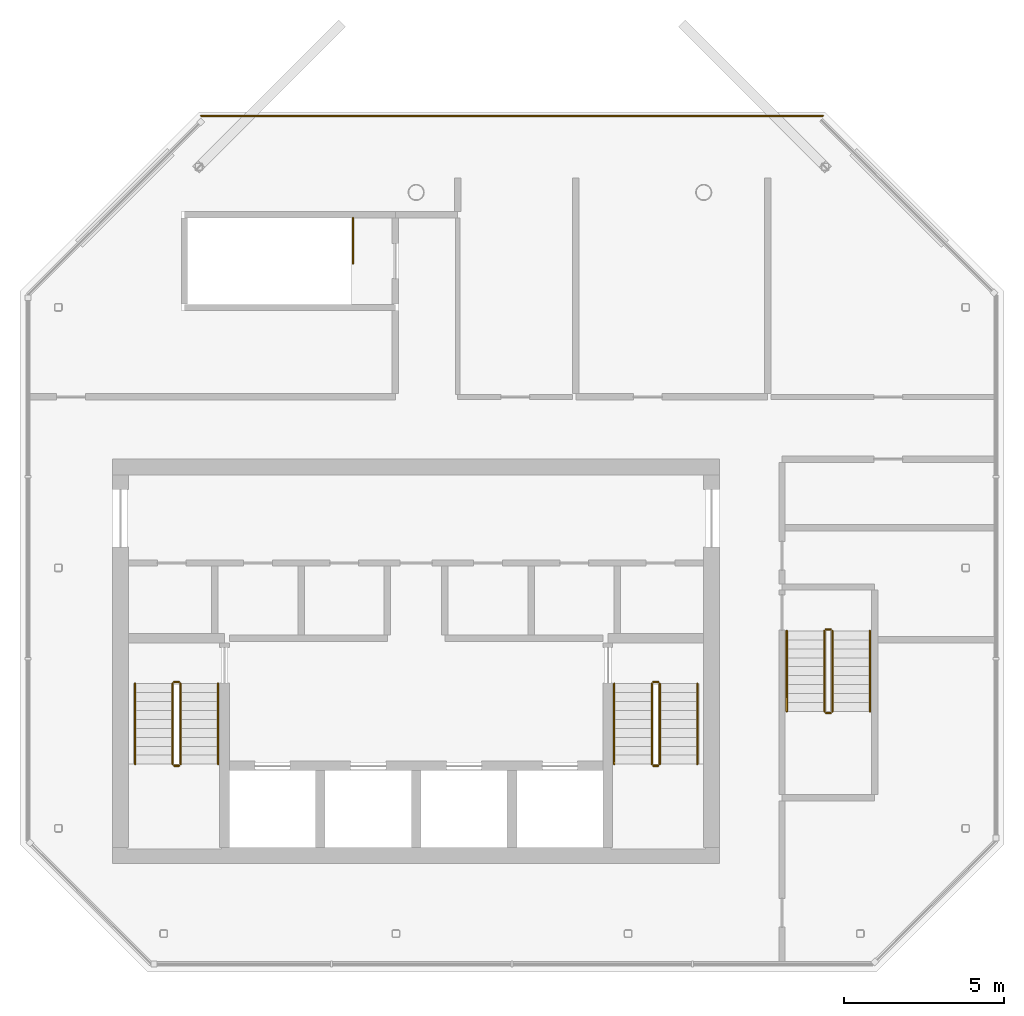
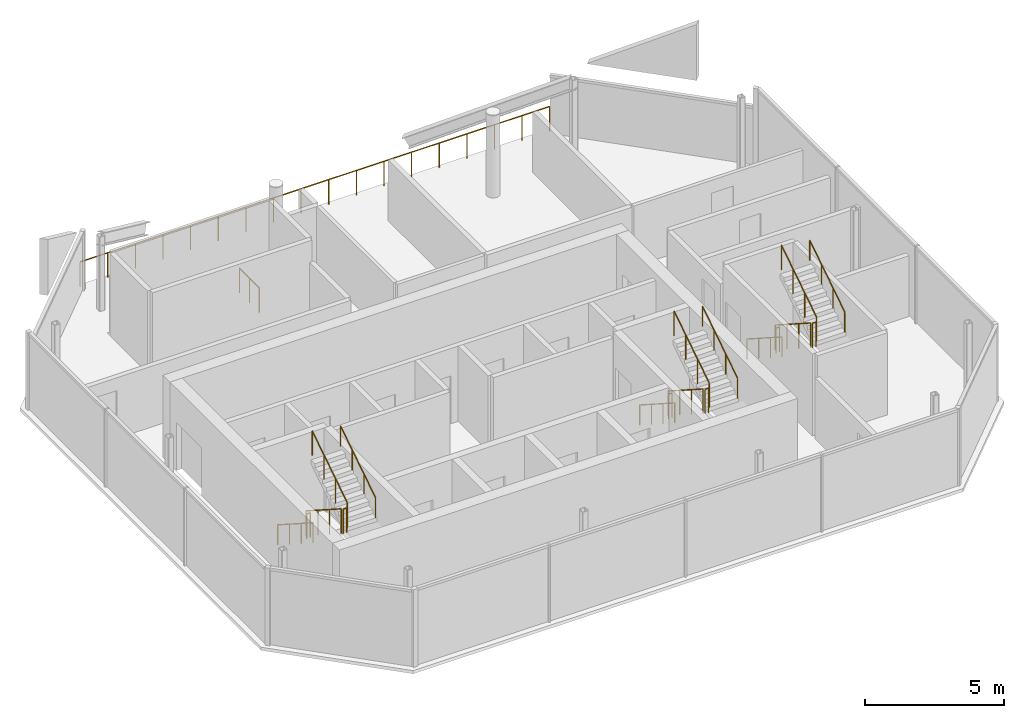
# One storey, part 5 of 5: 20 railings.
"""IFC4 building model written with IfcOpenShell, lengths in metres."""

from ifc_helpers import new_model, si_unit, direction, frame, origin, origin_2d, place, context, subcontext, project, spatial, circle, extrude, material, type_object, element, save


model = new_model("IFC4")

# Units and contexts
model_context = context("Model", 3, precision=1e-05, world=origin(), true_north=direction((0.0, 1.0)))
body_context = subcontext(model_context, "Body", "Model", "MODEL_VIEW")
ifc_project = project(units=[si_unit("LENGTHUNIT", "METRE"), si_unit("AREAUNIT", "SQUARE_METRE"), si_unit("VOLUMEUNIT", "CUBIC_METRE"), si_unit("PLANEANGLEUNIT", "RADIAN"), si_unit("MASSUNIT", "GRAM", prefix="KILO")], contexts=[model_context])

# Site, building, storey
site_placement = place(None, origin())
site = spatial("IfcSite", under=ifc_project, at=site_placement, CompositionType="ELEMENT")
building_placement = place(site_placement, origin())
building = spatial("IfcBuilding", under=site, at=building_placement, Name="Tskaro Facet Tower", CompositionType="ELEMENT")
storey_placement = place(building_placement, frame((0.0, 0.0, 300.89990234375)))
storey = spatial("IfcBuildingStorey", under=building, at=storey_placement, Name="L81", CompositionType="ELEMENT", Elevation=300.89990234375)

# Railings
ifc_material_1 = material(Name="Bronze anodised aluminium 6063-T6", Category="aluminium")
railing_type_1 = type_object("IfcRailingType", Name="Bronze guard rail (GD1)", PredefinedType="GUARDRAIL", material=ifc_material_1)
railing_1_placement = place(storey_placement, frame((12.73193359375, 11.39794921875, 0.0)))
element("IfcRailing", 1, at=railing_1_placement, inside=storey, type_object=railing_type_1, Name="Guard L81", PredefinedType="GUARDRAIL", context=body_context, shape_type="SweptSolid", body=[
    extrude(circle(Radius=0.02490234375, at=origin_2d()), frame((0.0, 0.0, 1.0751953125), z_axis=(-1.0, 0.0, 0.0), x_axis=(0.0, -1.0, 0.0)), (0.0, 0.0, 1.0), 19.4638671875),
    extrude(circle(Radius=0.02001953125, at=origin_2d()), origin(), (0.0, 0.0, 1.0), 1.050048828125),
    extrude(circle(Radius=0.02001953125, at=origin_2d()), frame((-1.14501953125, 0.0, 0.0)), (0.0, 0.0, 1.0), 1.050048828125),
    extrude(circle(Radius=0.02001953125, at=origin_2d()), frame((-2.289794921875, 0.0, 0.0)), (0.0, 0.0, 1.0), 1.050048828125),
    extrude(circle(Radius=0.02001953125, at=origin_2d()), frame((-3.434814453125, 0.0, 0.0)), (0.0, 0.0, 1.0), 1.050048828125),
    extrude(circle(Radius=0.02001953125, at=origin_2d()), frame((-4.579833984375, 0.0, 0.0)), (0.0, 0.0, 1.0), 1.050048828125),
    extrude(circle(Radius=0.02001953125, at=origin_2d()), frame((-5.724609375, 0.0, 0.0)), (0.0, 0.0, 1.0), 1.050048828125),
    extrude(circle(Radius=0.02001953125, at=origin_2d()), frame((-6.86962890625, 0.0, 0.0)), (0.0, 0.0, 1.0), 1.050048828125),
    extrude(circle(Radius=0.02001953125, at=origin_2d()), frame((-8.0146484375, 0.0, 0.0)), (0.0, 0.0, 1.0), 1.050048828125),
    extrude(circle(Radius=0.02001953125, at=origin_2d()), frame((-9.159423828125, 0.0, 0.0)), (0.0, 0.0, 1.0), 1.050048828125),
    extrude(circle(Radius=0.02001953125, at=origin_2d()), frame((-10.304443359375, 0.0, 0.0)), (0.0, 0.0, 1.0), 1.050048828125),
    extrude(circle(Radius=0.02001953125, at=origin_2d()), frame((-11.44921875, 0.0, 0.0)), (0.0, 0.0, 1.0), 1.050048828125),
    extrude(circle(Radius=0.02001953125, at=origin_2d()), frame((-12.59423828125, 0.0, 0.0)), (0.0, 0.0, 1.0), 1.050048828125),
    extrude(circle(Radius=0.02001953125, at=origin_2d()), frame((-13.7392578125, 0.0, 0.0)), (0.0, 0.0, 1.0), 1.050048828125),
    extrude(circle(Radius=0.02001953125, at=origin_2d()), frame((-14.884033203125, 0.0, 0.0)), (0.0, 0.0, 1.0), 1.050048828125),
    extrude(circle(Radius=0.02001953125, at=origin_2d()), frame((-16.029052734375, 0.0, 0.0)), (0.0, 0.0, 1.0), 1.050048828125),
    extrude(circle(Radius=0.02001953125, at=origin_2d()), frame((-17.174072265625, 0.0, 0.0)), (0.0, 0.0, 1.0), 1.050048828125),
    extrude(circle(Radius=0.02001953125, at=origin_2d()), frame((-18.31884765625, 0.0, 0.0)), (0.0, 0.0, 1.0), 1.050048828125),
    extrude(circle(Radius=0.02001953125, at=origin_2d()), frame((-19.4638671875, 0.0, 0.0)), (0.0, 0.0, 1.0), 1.050048828125),
])
ifc_material_2 = material(Name="Stainless steel", Category="steel")
railing_type_2 = type_object("IfcRailingType", Name="RL-GUARD-1100", PredefinedType="GUARDRAIL", material=ifc_material_2)
railing_2_placement = place(storey_placement, frame((-7.625, -6.375, 0.18017578125)))
element("IfcRailing", 2, at=railing_2_placement, inside=storey, type_object=railing_type_2, Name="L81 ST-1 stair guard 1", PredefinedType="GUARDRAIL", context=body_context, shape_type="SweptSolid", body=[
    extrude(circle(Radius=0.02392578125, at=origin_2d()), frame((0.0, 0.0, 1.076171875), z_axis=(0.0, -0.841199657755, 0.540724639528), x_axis=(1.0, 0.0, 0.0)), (0.0, 0.0, 1.0), 2.995849609375),
    extrude(circle(Radius=0.02099609375, at=origin_2d()), origin(), (0.0, 0.0, 1.0), 1.052001953125),
    extrude(circle(Radius=0.02099609375, at=origin_2d()), frame((0.0, -0.840087890625, 0.5400390625)), (0.0, 0.0, 1.0), 1.052001953125),
    extrude(circle(Radius=0.02099609375, at=origin_2d()), frame((0.0, -1.679931640625, 1.079833984375)), (0.0, 0.0, 1.0), 1.052001953125),
    extrude(circle(Radius=0.02099609375, at=origin_2d()), frame((0.0, -2.52001953125, 1.619873046875)), (0.0, 0.0, 1.0), 1.052001953125),
])
railing_3_placement = place(storey_placement, frame((-7.574951171875, -8.945068359375, 1.800048828125)))
element("IfcRailing", 3, at=railing_3_placement, inside=storey, type_object=railing_type_2, Name="L81 ST-1 stair guard 2", PredefinedType="GUARDRAIL", context=body_context, shape_type="SweptSolid", body=[
    extrude(circle(Radius=0.02392578125, at=origin_2d()), frame((0.0, 0.0, 1.076171875), z_axis=(1.0, 0.0, 0.0), x_axis=(0.0, 1.0, 0.0)), (0.0, 0.0, 1.0), 0.14990234375),
    extrude(circle(Radius=0.02099609375, at=origin_2d()), origin(), (0.0, 0.0, 1.0), 1.052001953125),
    extrude(circle(Radius=0.02099609375, at=origin_2d()), frame((0.14990234375, 0.0, 0.0)), (0.0, 0.0, 1.0), 1.052001953125),
])
railing_4_placement = place(storey_placement, frame((-7.375, -8.89501953125, 1.97998046875)))
element("IfcRailing", 4, at=railing_4_placement, inside=storey, type_object=railing_type_2, Name="L81 ST-1 stair guard 3", PredefinedType="GUARDRAIL", context=body_context, shape_type="SweptSolid", body=[
    extrude(circle(Radius=0.02392578125, at=origin_2d()), frame((0.0, 0.0, 1.076171875), z_axis=(0.0, 0.841162588446, 0.540782303519), x_axis=(-1.0, 0.0, 0.0)), (0.0, 0.0, 1.0), 2.995849609375),
    extrude(circle(Radius=0.02099609375, at=origin_2d()), origin(), (0.0, 0.0, 1.0), 1.052001953125),
    extrude(circle(Radius=0.02099609375, at=origin_2d()), frame((0.0, 0.840087890625, 0.5400390625)), (0.0, 0.0, 1.0), 1.052001953125),
    extrude(circle(Radius=0.02099609375, at=origin_2d()), frame((0.0, 1.679931640625, 1.080078125)), (0.0, 0.0, 1.0), 1.052001953125),
    extrude(circle(Radius=0.02099609375, at=origin_2d()), frame((0.0, 2.52001953125, 1.6201171875)), (0.0, 0.0, 1.0), 1.052001953125),
])
railing_5_placement = place(storey_placement, frame((-7.574951171875, -6.324951171875, 0.0)))
element("IfcRailing", 5, at=railing_5_placement, inside=storey, type_object=railing_type_2, Name="L81 ST-1 stair guard 4", PredefinedType="GUARDRAIL", context=body_context, shape_type="SweptSolid", body=[
    extrude(circle(Radius=0.02392578125, at=origin_2d()), frame((0.0, 0.0, 1.076171875), z_axis=(1.0, 0.0, 0.0), x_axis=(0.0, 1.0, 0.0)), (0.0, 0.0, 1.0), 0.14990234375),
    extrude(circle(Radius=0.02099609375, at=origin_2d()), origin(), (0.0, 0.0, 1.0), 1.052001953125),
    extrude(circle(Radius=0.02099609375, at=origin_2d()), frame((0.14990234375, 0.0, 0.0)), (0.0, 0.0, 1.0), 1.052001953125),
])
railing_6_placement = place(storey_placement, frame((7.375, -6.375, 0.18017578125)))
element("IfcRailing", 6, at=railing_6_placement, inside=storey, type_object=railing_type_2, Name="L81 ST-2 stair guard 1", PredefinedType="GUARDRAIL", context=body_context, shape_type="SweptSolid", body=[
    extrude(circle(Radius=0.02392578125, at=origin_2d()), frame((0.0, 0.0, 1.076171875), z_axis=(0.0, -0.841199657755, 0.540724639528), x_axis=(1.0, 0.0, 0.0)), (0.0, 0.0, 1.0), 2.995849609375),
    extrude(circle(Radius=0.02099609375, at=origin_2d()), origin(), (0.0, 0.0, 1.0), 1.052001953125),
    extrude(circle(Radius=0.02099609375, at=origin_2d()), frame((0.0, -0.840087890625, 0.5400390625)), (0.0, 0.0, 1.0), 1.052001953125),
    extrude(circle(Radius=0.02099609375, at=origin_2d()), frame((0.0, -1.679931640625, 1.079833984375)), (0.0, 0.0, 1.0), 1.052001953125),
    extrude(circle(Radius=0.02099609375, at=origin_2d()), frame((0.0, -2.52001953125, 1.619873046875)), (0.0, 0.0, 1.0), 1.052001953125),
])
railing_7_placement = place(storey_placement, frame((7.425048828125, -8.945068359375, 1.800048828125)))
element("IfcRailing", 7, at=railing_7_placement, inside=storey, type_object=railing_type_2, Name="L81 ST-2 stair guard 2", PredefinedType="GUARDRAIL", context=body_context, shape_type="SweptSolid", body=[
    extrude(circle(Radius=0.02392578125, at=origin_2d()), frame((0.0, 0.0, 1.076171875), z_axis=(1.0, 0.0, 0.0), x_axis=(0.0, 1.0, 0.0)), (0.0, 0.0, 1.0), 0.14990234375),
    extrude(circle(Radius=0.02099609375, at=origin_2d()), origin(), (0.0, 0.0, 1.0), 1.052001953125),
    extrude(circle(Radius=0.02099609375, at=origin_2d()), frame((0.14990234375, 0.0, 0.0)), (0.0, 0.0, 1.0), 1.052001953125),
])
railing_8_placement = place(storey_placement, frame((7.625, -8.89501953125, 1.97998046875)))
element("IfcRailing", 8, at=railing_8_placement, inside=storey, type_object=railing_type_2, Name="L81 ST-2 stair guard 3", PredefinedType="GUARDRAIL", context=body_context, shape_type="SweptSolid", body=[
    extrude(circle(Radius=0.02392578125, at=origin_2d()), frame((0.0, 0.0, 1.076171875), z_axis=(0.0, 0.841162588446, 0.540782303519), x_axis=(-1.0, 0.0, 0.0)), (0.0, 0.0, 1.0), 2.995849609375),
    extrude(circle(Radius=0.02099609375, at=origin_2d()), origin(), (0.0, 0.0, 1.0), 1.052001953125),
    extrude(circle(Radius=0.02099609375, at=origin_2d()), frame((0.0, 0.840087890625, 0.5400390625)), (0.0, 0.0, 1.0), 1.052001953125),
    extrude(circle(Radius=0.02099609375, at=origin_2d()), frame((0.0, 1.679931640625, 1.080078125)), (0.0, 0.0, 1.0), 1.052001953125),
    extrude(circle(Radius=0.02099609375, at=origin_2d()), frame((0.0, 2.52001953125, 1.6201171875)), (0.0, 0.0, 1.0), 1.052001953125),
])
railing_9_placement = place(storey_placement, frame((7.425048828125, -6.324951171875, 0.0)))
element("IfcRailing", 9, at=railing_9_placement, inside=storey, type_object=railing_type_2, Name="L81 ST-2 stair guard 4", PredefinedType="GUARDRAIL", context=body_context, shape_type="SweptSolid", body=[
    extrude(circle(Radius=0.02392578125, at=origin_2d()), frame((0.0, 0.0, 1.076171875), z_axis=(1.0, 0.0, 0.0), x_axis=(0.0, 1.0, 0.0)), (0.0, 0.0, 1.0), 0.14990234375),
    extrude(circle(Radius=0.02099609375, at=origin_2d()), origin(), (0.0, 0.0, 1.0), 1.052001953125),
    extrude(circle(Radius=0.02099609375, at=origin_2d()), frame((0.14990234375, 0.0, 0.0)), (0.0, 0.0, 1.0), 1.052001953125),
])
railing_10_placement = place(storey_placement, frame((-1.97509765625, 8.199951171875, 0.0)))
element("IfcRailing", 10, at=railing_10_placement, inside=storey, type_object=railing_type_2, Name="L81 ST-3 top well guard 1", PredefinedType="GUARDRAIL", context=body_context, shape_type="SweptSolid", body=[
    extrude(circle(Radius=0.02392578125, at=origin_2d()), frame((0.0, 0.0, 1.076171875), z_axis=(0.0, -1.0, 0.0), x_axis=(1.0, 0.0, 0.0)), (0.0, 0.0, 1.0), 1.425048828125),
    extrude(circle(Radius=0.02099609375, at=origin_2d()), origin(), (0.0, 0.0, 1.0), 1.052001953125),
    extrude(circle(Radius=0.02099609375, at=origin_2d()), frame((0.0, -0.71240234375, 0.0)), (0.0, 0.0, 1.0), 1.052001953125),
    extrude(circle(Radius=0.02099609375, at=origin_2d()), frame((0.0, -1.425048828125, 0.0)), (0.0, 0.0, 1.0), 1.052001953125),
])
railing_11_placement = place(storey_placement, frame((12.77490234375, -4.72509765625, 0.18017578125)))
element("IfcRailing", 11, at=railing_11_placement, inside=storey, type_object=railing_type_2, Name="L81 ST-4 stair guard 1", PredefinedType="GUARDRAIL", context=body_context, shape_type="SweptSolid", body=[
    extrude(circle(Radius=0.02392578125, at=origin_2d()), frame((0.0, 0.0, 1.076171875), z_axis=(0.0, -0.841199657755, 0.540724639528), x_axis=(1.0, 0.0, 0.0)), (0.0, 0.0, 1.0), 2.995849609375),
    extrude(circle(Radius=0.02099609375, at=origin_2d()), origin(), (0.0, 0.0, 1.0), 1.052001953125),
    extrude(circle(Radius=0.02099609375, at=origin_2d()), frame((0.0, -0.840087890625, 0.5400390625)), (0.0, 0.0, 1.0), 1.052001953125),
    extrude(circle(Radius=0.02099609375, at=origin_2d()), frame((0.0, -1.679931640625, 1.079833984375)), (0.0, 0.0, 1.0), 1.052001953125),
    extrude(circle(Radius=0.02099609375, at=origin_2d()), frame((0.0, -2.52001953125, 1.619873046875)), (0.0, 0.0, 1.0), 1.052001953125),
])
railing_12_placement = place(storey_placement, frame((12.824951171875, -7.294921875, 1.800048828125)))
element("IfcRailing", 12, at=railing_12_placement, inside=storey, type_object=railing_type_2, Name="L81 ST-4 stair guard 2", PredefinedType="GUARDRAIL", context=body_context, shape_type="SweptSolid", body=[
    extrude(circle(Radius=0.02392578125, at=origin_2d()), frame((0.0, 0.0, 1.076171875), z_axis=(1.0, 0.0, 0.0), x_axis=(0.0, 1.0, 0.0)), (0.0, 0.0, 1.0), 0.150146484375),
    extrude(circle(Radius=0.02099609375, at=origin_2d()), origin(), (0.0, 0.0, 1.0), 1.052001953125),
    extrude(circle(Radius=0.02099609375, at=origin_2d()), frame((0.150146484375, 0.0, 0.0)), (0.0, 0.0, 1.0), 1.052001953125),
])
railing_13_placement = place(storey_placement, frame((13.02490234375, -7.2451171875, 1.97998046875)))
element("IfcRailing", 13, at=railing_13_placement, inside=storey, type_object=railing_type_2, Name="L81 ST-4 stair guard 3", PredefinedType="GUARDRAIL", context=body_context, shape_type="SweptSolid", body=[
    extrude(circle(Radius=0.02392578125, at=origin_2d()), frame((0.0, 0.0, 1.076171875), z_axis=(0.0, 0.841162588446, 0.540782303519), x_axis=(-1.0, 0.0, 0.0)), (0.0, 0.0, 1.0), 2.995849609375),
    extrude(circle(Radius=0.02099609375, at=origin_2d()), origin(), (0.0, 0.0, 1.0), 1.052001953125),
    extrude(circle(Radius=0.02099609375, at=origin_2d()), frame((0.0, 0.840087890625, 0.5400390625)), (0.0, 0.0, 1.0), 1.052001953125),
    extrude(circle(Radius=0.02099609375, at=origin_2d()), frame((0.0, 1.679931640625, 1.080078125)), (0.0, 0.0, 1.0), 1.052001953125),
    extrude(circle(Radius=0.02099609375, at=origin_2d()), frame((0.0, 2.52001953125, 1.6201171875)), (0.0, 0.0, 1.0), 1.052001953125),
])
railing_14_placement = place(storey_placement, frame((12.824951171875, -4.675048828125, 0.0)))
element("IfcRailing", 14, at=railing_14_placement, inside=storey, type_object=railing_type_2, Name="L81 ST-4 stair guard 4", PredefinedType="GUARDRAIL", context=body_context, shape_type="SweptSolid", body=[
    extrude(circle(Radius=0.02392578125, at=origin_2d()), frame((0.0, 0.0, 1.076171875), z_axis=(1.0, 0.0, 0.0), x_axis=(0.0, 1.0, 0.0)), (0.0, 0.0, 1.0), 0.150146484375),
    extrude(circle(Radius=0.02099609375, at=origin_2d()), origin(), (0.0, 0.0, 1.0), 1.052001953125),
    extrude(circle(Radius=0.02099609375, at=origin_2d()), frame((0.150146484375, 0.0, 0.0)), (0.0, 0.0, 1.0), 1.052001953125),
])
railing_type_3 = type_object("IfcRailingType", Name="RL-HANDRAIL-900", PredefinedType="HANDRAIL", material=ifc_material_2)
railing_15_placement = place(storey_placement, frame((-8.800048828125, -6.375, 0.18017578125)))
element("IfcRailing", 15, at=railing_15_placement, inside=storey, type_object=railing_type_3, Name="L81 ST-1 stair handrail 1", PredefinedType="HANDRAIL", context=body_context, shape_type="SweptSolid", body=[
    extrude(circle(Radius=0.02392578125, at=origin_2d()), frame((0.0, 0.0, 0.8759765625), z_axis=(0.0, -0.841199657755, 0.540724639528), x_axis=(1.0, 0.0, 0.0)), (0.0, 0.0, 1.0), 2.995849609375),
    extrude(circle(Radius=0.02099609375, at=origin_2d()), origin(), (0.0, 0.0, 1.0), 0.851806640625),
    extrude(circle(Radius=0.02099609375, at=origin_2d()), frame((0.0, -0.840087890625, 0.5400390625)), (0.0, 0.0, 1.0), 0.851806640625),
    extrude(circle(Radius=0.02099609375, at=origin_2d()), frame((0.0, -1.679931640625, 1.079833984375)), (0.0, 0.0, 1.0), 0.851806640625),
    extrude(circle(Radius=0.02099609375, at=origin_2d()), frame((0.0, -2.52001953125, 1.619873046875)), (0.0, 0.0, 1.0), 0.851806640625),
])
railing_16_placement = place(storey_placement, frame((-6.199951171875, -8.89501953125, 1.97998046875)))
element("IfcRailing", 16, at=railing_16_placement, inside=storey, type_object=railing_type_3, Name="L81 ST-1 stair handrail 2", PredefinedType="HANDRAIL", context=body_context, shape_type="SweptSolid", body=[
    extrude(circle(Radius=0.02392578125, at=origin_2d()), frame((0.0, 0.0, 0.8759765625), z_axis=(0.0, 0.841162588446, 0.540782303519), x_axis=(-1.0, 0.0, 0.0)), (0.0, 0.0, 1.0), 2.995849609375),
    extrude(circle(Radius=0.02099609375, at=origin_2d()), origin(), (0.0, 0.0, 1.0), 0.851806640625),
    extrude(circle(Radius=0.02099609375, at=origin_2d()), frame((0.0, 0.840087890625, 0.5400390625)), (0.0, 0.0, 1.0), 0.851806640625),
    extrude(circle(Radius=0.02099609375, at=origin_2d()), frame((0.0, 1.679931640625, 1.080078125)), (0.0, 0.0, 1.0), 0.851806640625),
    extrude(circle(Radius=0.02099609375, at=origin_2d()), frame((0.0, 2.52001953125, 1.6201171875)), (0.0, 0.0, 1.0), 0.851806640625),
])
railing_17_placement = place(storey_placement, frame((6.199951171875, -6.375, 0.18017578125)))
element("IfcRailing", 17, at=railing_17_placement, inside=storey, type_object=railing_type_3, Name="L81 ST-2 stair handrail 1", PredefinedType="HANDRAIL", context=body_context, shape_type="SweptSolid", body=[
    extrude(circle(Radius=0.02392578125, at=origin_2d()), frame((0.0, 0.0, 0.8759765625), z_axis=(0.0, -0.841199657755, 0.540724639528), x_axis=(1.0, 0.0, 0.0)), (0.0, 0.0, 1.0), 2.995849609375),
    extrude(circle(Radius=0.02099609375, at=origin_2d()), origin(), (0.0, 0.0, 1.0), 0.851806640625),
    extrude(circle(Radius=0.02099609375, at=origin_2d()), frame((0.0, -0.840087890625, 0.5400390625)), (0.0, 0.0, 1.0), 0.851806640625),
    extrude(circle(Radius=0.02099609375, at=origin_2d()), frame((0.0, -1.679931640625, 1.079833984375)), (0.0, 0.0, 1.0), 0.851806640625),
    extrude(circle(Radius=0.02099609375, at=origin_2d()), frame((0.0, -2.52001953125, 1.619873046875)), (0.0, 0.0, 1.0), 0.851806640625),
])
railing_18_placement = place(storey_placement, frame((8.800048828125, -8.89501953125, 1.97998046875)))
element("IfcRailing", 18, at=railing_18_placement, inside=storey, type_object=railing_type_3, Name="L81 ST-2 stair handrail 2", PredefinedType="HANDRAIL", context=body_context, shape_type="SweptSolid", body=[
    extrude(circle(Radius=0.02392578125, at=origin_2d()), frame((0.0, 0.0, 0.8759765625), z_axis=(0.0, 0.841162588446, 0.540782303519), x_axis=(-1.0, 0.0, 0.0)), (0.0, 0.0, 1.0), 2.995849609375),
    extrude(circle(Radius=0.02099609375, at=origin_2d()), origin(), (0.0, 0.0, 1.0), 0.851806640625),
    extrude(circle(Radius=0.02099609375, at=origin_2d()), frame((0.0, 0.840087890625, 0.5400390625)), (0.0, 0.0, 1.0), 0.851806640625),
    extrude(circle(Radius=0.02099609375, at=origin_2d()), frame((0.0, 1.679931640625, 1.080078125)), (0.0, 0.0, 1.0), 0.851806640625),
    extrude(circle(Radius=0.02099609375, at=origin_2d()), frame((0.0, 2.52001953125, 1.6201171875)), (0.0, 0.0, 1.0), 0.851806640625),
])
railing_19_placement = place(storey_placement, frame((11.60009765625, -4.72509765625, 0.18017578125)))
element("IfcRailing", 19, at=railing_19_placement, inside=storey, type_object=railing_type_3, Name="L81 ST-4 stair handrail 1", PredefinedType="HANDRAIL", context=body_context, shape_type="SweptSolid", body=[
    extrude(circle(Radius=0.02392578125, at=origin_2d()), frame((0.0, 0.0, 0.8759765625), z_axis=(0.0, -0.841199657755, 0.540724639528), x_axis=(1.0, 0.0, 0.0)), (0.0, 0.0, 1.0), 2.995849609375),
    extrude(circle(Radius=0.02099609375, at=origin_2d()), origin(), (0.0, 0.0, 1.0), 0.851806640625),
    extrude(circle(Radius=0.02099609375, at=origin_2d()), frame((0.0, -0.840087890625, 0.5400390625)), (0.0, 0.0, 1.0), 0.851806640625),
    extrude(circle(Radius=0.02099609375, at=origin_2d()), frame((0.0, -1.679931640625, 1.079833984375)), (0.0, 0.0, 1.0), 0.851806640625),
    extrude(circle(Radius=0.02099609375, at=origin_2d()), frame((0.0, -2.52001953125, 1.619873046875)), (0.0, 0.0, 1.0), 0.851806640625),
])
railing_20_placement = place(storey_placement, frame((14.199951171875, -7.2451171875, 1.97998046875)))
element("IfcRailing", 20, at=railing_20_placement, inside=storey, type_object=railing_type_3, Name="L81 ST-4 stair handrail 2", PredefinedType="HANDRAIL", context=body_context, shape_type="SweptSolid", body=[
    extrude(circle(Radius=0.02392578125, at=origin_2d()), frame((0.0, 0.0, 0.8759765625), z_axis=(0.0, 0.841162588446, 0.540782303519), x_axis=(-1.0, 0.0, 0.0)), (0.0, 0.0, 1.0), 2.995849609375),
    extrude(circle(Radius=0.02099609375, at=origin_2d()), origin(), (0.0, 0.0, 1.0), 0.851806640625),
    extrude(circle(Radius=0.02099609375, at=origin_2d()), frame((0.0, 0.840087890625, 0.5400390625)), (0.0, 0.0, 1.0), 0.851806640625),
    extrude(circle(Radius=0.02099609375, at=origin_2d()), frame((0.0, 1.679931640625, 1.080078125)), (0.0, 0.0, 1.0), 0.851806640625),
    extrude(circle(Radius=0.02099609375, at=origin_2d()), frame((0.0, 2.52001953125, 1.6201171875)), (0.0, 0.0, 1.0), 0.851806640625),
])

save(model, "model.ifc")
